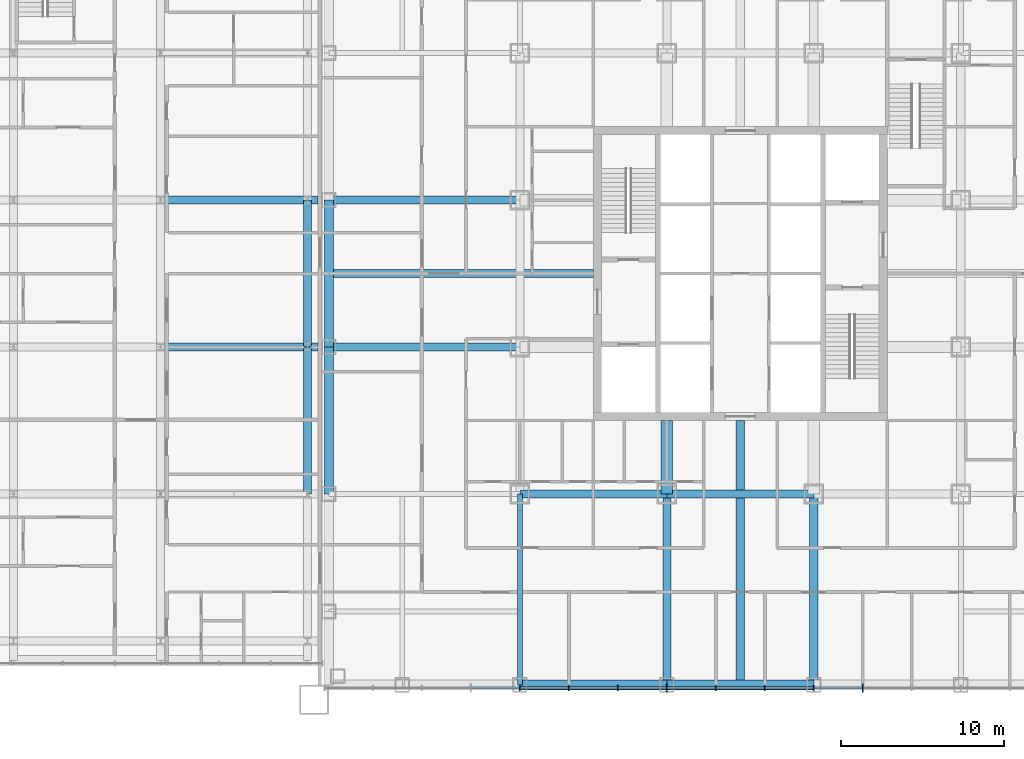
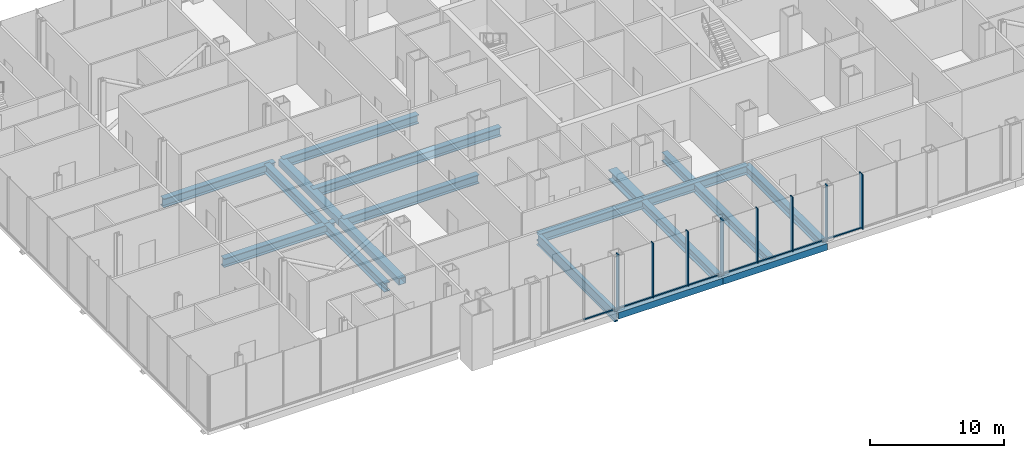
# One storey, part 3 of 25: 18 beams, 16 members, 1 element without a shape of its own.
"""IFC4 building model written with IfcOpenShell, lengths in metres."""

from ifc_helpers import new_model, si_unit, direction, frame, origin, origin_2d, place, context, subcontext, project, spatial, rectangle, hollow_rectangle, i_section, extrude, material, layer, layer_set, material_profile, profile_set, type_object, element, aggregate, save


model = new_model("IFC4")

# Units and contexts
model_context = context("Model", 3, precision=1e-05, world=origin(), true_north=direction((0.0, 1.0)))
body_context = subcontext(model_context, "Body", "Model", "MODEL_VIEW")
ifc_project = project(units=[si_unit("LENGTHUNIT", "METRE"), si_unit("AREAUNIT", "SQUARE_METRE"), si_unit("VOLUMEUNIT", "CUBIC_METRE"), si_unit("PLANEANGLEUNIT", "RADIAN"), si_unit("MASSUNIT", "GRAM", prefix="KILO")], contexts=[model_context])

# Site, building, storey
site_placement = place(None, origin())
site = spatial("IfcSite", under=ifc_project, at=site_placement, CompositionType="ELEMENT")
building_placement = place(site_placement, origin())
building = spatial("IfcBuilding", under=site, at=building_placement, Name="Malebo Sky Hospital", CompositionType="ELEMENT")
storey_placement = place(building_placement, frame((0.0, 0.0, 6.0)))
storey = spatial("IfcBuildingStorey", under=building, at=storey_placement, Name="L01", CompositionType="ELEMENT", Elevation=6.0)

# Curtain wall, members
ifc_material_1 = material(Name="Anodised aluminium, natural silver", Category="aluminium")
ifc_layer = layer(ifc_material_1, 0.25)
ifc_layer_set = layer_set([ifc_layer], Name="PODIUM ENTRANCE BAY CURTAIN WALL")
curtain_wall_type = type_object("IfcCurtainWallType", Name="PODIUM ENTRANCE BAY CURTAIN WALL", PredefinedType="NOTDEFINED", material=ifc_layer_set)
curtain_wall_placement = place(storey_placement, origin())
curtain_wall = element("IfcCurtainWall", 1, at=curtain_wall_placement, inside=storey, type_object=curtain_wall_type, Name="BAY curtain wall BS", PredefinedType="NOTDEFINED")
ifc_material_profile_1 = material_profile(ifc_material_1, rectangle(XDim=0.14990234375, YDim=0.10009765625, at=origin_2d()), Name="ALUMINIUM TRANSOM 150x100")
ifc_profile_set_1 = profile_set([ifc_material_profile_1], Name="Anodised aluminium, natural silver")
member_type_1 = type_object("IfcMemberType", Name="ALUMINIUM TRANSOM 150x100", PredefinedType="USERDEFINED", material=ifc_profile_set_1)
member_1_placement = place(storey_placement, frame((43.53759765625, 36.625, 0.050048828125), z_axis=(1.0, 0.0, 0.0), x_axis=(0.0, 1.0, 0.0)))
member_1 = element("IfcMember", 2, at=member_1_placement, type_object=member_type_1, Name="Transom 4", ObjectType="TRANSOM", PredefinedType="USERDEFINED", context=body_context, shape_type="SweptSolid", body=[
    extrude(rectangle(XDim=0.14990234375, YDim=0.10009765625, at=origin_2d()), origin(), (0.0, 0.0, 1.0), 2.9248046875),
])
member_2_placement = place(storey_placement, frame((46.53759765625, 36.625, 0.050048828125), z_axis=(1.0, 0.0, 0.0), x_axis=(0.0, 1.0, 0.0)))
member_2 = element("IfcMember", 3, at=member_2_placement, type_object=member_type_1, Name="Transom 5", ObjectType="TRANSOM", PredefinedType="USERDEFINED", context=body_context, shape_type="SweptSolid", body=[
    extrude(rectangle(XDim=0.14990234375, YDim=0.10009765625, at=origin_2d()), origin(), (0.0, 0.0, 1.0), 2.9248046875),
])
member_3_placement = place(storey_placement, frame((49.53759765625, 36.625, 0.050048828125), z_axis=(1.0, 0.0, 0.0), x_axis=(0.0, 1.0, 0.0)))
member_3 = element("IfcMember", 4, at=member_3_placement, type_object=member_type_1, Name="Transom 6", ObjectType="TRANSOM", PredefinedType="USERDEFINED", context=body_context, shape_type="SweptSolid", body=[
    extrude(rectangle(XDim=0.14990234375, YDim=0.10009765625, at=origin_2d()), origin(), (0.0, 0.0, 1.0), 2.9248046875),
])
member_4_placement = place(storey_placement, frame((52.53759765625, 36.625, 0.050048828125), z_axis=(1.0, 0.0, 0.0), x_axis=(0.0, 1.0, 0.0)))
member_4 = element("IfcMember", 5, at=member_4_placement, type_object=member_type_1, Name="Transom 7", ObjectType="TRANSOM", PredefinedType="USERDEFINED", context=body_context, shape_type="SweptSolid", body=[
    extrude(rectangle(XDim=0.14990234375, YDim=0.10009765625, at=origin_2d()), origin(), (0.0, 0.0, 1.0), 2.9248046875),
])
member_5_placement = place(storey_placement, frame((55.53759765625, 36.625, 0.050048828125), z_axis=(1.0, 0.0, 0.0), x_axis=(0.0, 1.0, 0.0)))
member_5 = element("IfcMember", 6, at=member_5_placement, type_object=member_type_1, Name="Transom 8", ObjectType="TRANSOM", PredefinedType="USERDEFINED", context=body_context, shape_type="SweptSolid", body=[
    extrude(rectangle(XDim=0.14990234375, YDim=0.10009765625, at=origin_2d()), origin(), (0.0, 0.0, 1.0), 2.9248046875),
])
member_6_placement = place(storey_placement, frame((58.53759765625, 36.625, 0.050048828125), z_axis=(1.0, 0.0, 0.0), x_axis=(0.0, 1.0, 0.0)))
member_6 = element("IfcMember", 7, at=member_6_placement, type_object=member_type_1, Name="Transom 9", ObjectType="TRANSOM", PredefinedType="USERDEFINED", context=body_context, shape_type="SweptSolid", body=[
    extrude(rectangle(XDim=0.14990234375, YDim=0.10009765625, at=origin_2d()), origin(), (0.0, 0.0, 1.0), 2.9248046875),
])
member_7_placement = place(storey_placement, frame((61.53759765625, 36.625, 0.050048828125), z_axis=(1.0, 0.0, 0.0), x_axis=(0.0, 1.0, 0.0)))
member_7 = element("IfcMember", 8, at=member_7_placement, type_object=member_type_1, Name="Transom 10", ObjectType="TRANSOM", PredefinedType="USERDEFINED", context=body_context, shape_type="SweptSolid", body=[
    extrude(rectangle(XDim=0.14990234375, YDim=0.10009765625, at=origin_2d()), origin(), (0.0, 0.0, 1.0), 2.9248046875),
])
member_8_placement = place(storey_placement, frame((64.53759765625, 36.625, 0.050048828125), z_axis=(1.0, 0.0, 0.0), x_axis=(0.0, 1.0, 0.0)))
member_8 = element("IfcMember", 9, at=member_8_placement, type_object=member_type_1, Name="Transom 11", ObjectType="TRANSOM", PredefinedType="USERDEFINED", context=body_context, shape_type="SweptSolid", body=[
    extrude(rectangle(XDim=0.14990234375, YDim=0.10009765625, at=origin_2d()), origin(), (0.0, 0.0, 1.0), 2.9248046875),
])
ifc_material_profile_2 = material_profile(ifc_material_1, rectangle(XDim=0.074951171875, YDim=0.35009765625, at=origin_2d()), Name="CW4 ALUMINIUM FIN MULLION 75x350")
ifc_profile_set_2 = profile_set([ifc_material_profile_2], Name="Anodised aluminium, natural silver")
member_type_2 = type_object("IfcMemberType", Name="CW4 ALUMINIUM FIN MULLION 75x350", PredefinedType="MULLION", material=ifc_profile_set_2)
member_9_placement = place(storey_placement, frame((46.5, 36.625, 0.0), z_axis=(0.0, 0.0, 1.0), x_axis=(1.0, 0.0, 0.0)))
member_9 = element("IfcMember", 10, at=member_9_placement, type_object=member_type_2, Name="Fin mullion 5", PredefinedType="MULLION", context=body_context, shape_type="SweptSolid", body=[
    extrude(rectangle(XDim=0.074951171875, YDim=0.35009765625, at=origin_2d()), origin(), (0.0, 0.0, 1.0), 5.0),
])
member_10_placement = place(storey_placement, frame((49.5, 36.625, 0.0), z_axis=(0.0, 0.0, 1.0), x_axis=(1.0, 0.0, 0.0)))
member_10 = element("IfcMember", 11, at=member_10_placement, type_object=member_type_2, Name="Fin mullion 6", PredefinedType="MULLION", context=body_context, shape_type="SweptSolid", body=[
    extrude(rectangle(XDim=0.074951171875, YDim=0.35009765625, at=origin_2d()), origin(), (0.0, 0.0, 1.0), 5.0),
])
member_11_placement = place(storey_placement, frame((52.5, 36.625, 0.0), z_axis=(0.0, 0.0, 1.0), x_axis=(1.0, 0.0, 0.0)))
member_11 = element("IfcMember", 12, at=member_11_placement, type_object=member_type_2, Name="Fin mullion 7", PredefinedType="MULLION", context=body_context, shape_type="SweptSolid", body=[
    extrude(rectangle(XDim=0.074951171875, YDim=0.35009765625, at=origin_2d()), origin(), (0.0, 0.0, 1.0), 5.0),
])
member_12_placement = place(storey_placement, frame((58.5, 36.625, 0.0), z_axis=(0.0, 0.0, 1.0), x_axis=(1.0, 0.0, 0.0)))
member_12 = element("IfcMember", 13, at=member_12_placement, type_object=member_type_2, Name="Fin mullion 9", PredefinedType="MULLION", context=body_context, shape_type="SweptSolid", body=[
    extrude(rectangle(XDim=0.074951171875, YDim=0.35009765625, at=origin_2d()), origin(), (0.0, 0.0, 1.0), 5.0),
])
member_13_placement = place(storey_placement, frame((61.5, 36.625, 0.0), z_axis=(0.0, 0.0, 1.0), x_axis=(1.0, 0.0, 0.0)))
member_13 = element("IfcMember", 14, at=member_13_placement, type_object=member_type_2, Name="Fin mullion 10", PredefinedType="MULLION", context=body_context, shape_type="SweptSolid", body=[
    extrude(rectangle(XDim=0.074951171875, YDim=0.35009765625, at=origin_2d()), origin(), (0.0, 0.0, 1.0), 5.0),
])
member_14_placement = place(storey_placement, frame((64.5, 36.625, 0.0), z_axis=(0.0, 0.0, 1.0), x_axis=(1.0, 0.0, 0.0)))
member_14 = element("IfcMember", 15, at=member_14_placement, type_object=member_type_2, Name="Fin mullion 11", PredefinedType="MULLION", context=body_context, shape_type="SweptSolid", body=[
    extrude(rectangle(XDim=0.074951171875, YDim=0.35009765625, at=origin_2d()), origin(), (0.0, 0.0, 1.0), 5.0),
])
ifc_material_profile_3 = material_profile(ifc_material_1, rectangle(XDim=0.074951171875, YDim=0.5, at=origin_2d()), Name="CW4 ALUMINIUM FIN MULLION 75x500")
ifc_profile_set_3 = profile_set([ifc_material_profile_3], Name="Anodised aluminium, natural silver")
member_type_3 = type_object("IfcMemberType", Name="CW4 ALUMINIUM FIN MULLION 75x500", PredefinedType="MULLION", material=ifc_profile_set_3)
member_15_placement = place(storey_placement, frame((55.5, 36.625, 0.0), z_axis=(0.0, 0.0, 1.0), x_axis=(1.0, 0.0, 0.0)))
member_15 = element("IfcMember", 16, at=member_15_placement, type_object=member_type_3, Name="Fin mullion 8", PredefinedType="MULLION", context=body_context, shape_type="SweptSolid", body=[
    extrude(rectangle(XDim=0.074951171875, YDim=0.5, at=origin_2d()), origin(), (0.0, 0.0, 1.0), 5.0),
])
member_16_placement = place(storey_placement, frame((67.5, 36.625, 0.0), z_axis=(0.0, 0.0, 1.0), x_axis=(1.0, 0.0, 0.0)))
member_16 = element("IfcMember", 17, at=member_16_placement, type_object=member_type_3, Name="Fin mullion 12", PredefinedType="MULLION", context=body_context, shape_type="SweptSolid", body=[
    extrude(rectangle(XDim=0.074951171875, YDim=0.5, at=origin_2d()), origin(), (0.0, 0.0, 1.0), 5.0),
])
aggregate(curtain_wall, [member_9, member_10, member_11, member_15, member_12, member_13, member_14, member_16, member_1, member_2, member_3, member_4, member_5, member_6, member_7, member_8])

# Beams
ifc_material_2 = material(Name="Steel S460", Category="steel")
ifc_material_profile_4 = material_profile(ifc_material_2, hollow_rectangle(XDim=0.60009765625, YDim=0.60009765625, WallThickness=0.0400390625, at=origin_2d()), Name="BOX 600x600x40")
ifc_profile_set_4 = profile_set([ifc_material_profile_4], Name="Steel S460")
beam_type_1 = type_object("IfcBeamType", Name="EDGE BEAM BOX 600x600x40", PredefinedType="BEAM", material=ifc_profile_set_4)
for number, where, z_axis, x_axis, name in (
    (18, (34.800048828125, 48.5, -0.60009765625), (0.0, 1.0, 0.0), (-1.0, 0.0, 0.0), "Beam 002 L01"),
    (19, (34.800048828125, 57.5, -0.60009765625), (0.0, 1.0, 0.0), (-1.0, 0.0, 0.0), "Beam 003 L01"),
    (20, (46.5, 36.800048828125, -0.60009765625), (1.0, 0.0, 0.0), (0.0, 1.0, 0.0), "Beam 040 L01"),
    (21, (55.5, 36.800048828125, -0.60009765625), (1.0, 0.0, 0.0), (0.0, 1.0, 0.0), "Beam 041 L01"),
):
    element("IfcBeam", number, at=place(storey_placement, frame(where, z_axis=z_axis, x_axis=x_axis)), inside=storey, type_object=beam_type_1, Name=name, PredefinedType="BEAM", context=body_context, shape_type="SweptSolid", body=[
        extrude(hollow_rectangle(XDim=0.60009765625, YDim=0.60009765625, WallThickness=0.0400390625, at=origin_2d()), origin(), (0.0, 0.0, 1.0), 9.0),
    ])
ifc_material_3 = material(Name="Steel S355", Category="steel")
ifc_material_profile_5 = material_profile(ifc_material_3, i_section(OverallWidth=0.5, OverallDepth=0.800048828125, WebThickness=0.030029296875, FlangeThickness=0.050048828125, at=origin_2d()), Name="PG 800x500x30x50")
ifc_profile_set_5 = profile_set([ifc_material_profile_5], Name="Steel S355")
beam_type_2 = type_object("IfcBeamType", Name="FLOOR BEAM PG 800x500x30x50", PredefinedType="BEAM", material=ifc_profile_set_5)
beam_1_placement = place(storey_placement, frame((55.5, 36.800048828125, -0.699951171875), z_axis=(0.0, 1.0, 0.0), x_axis=(-1.0, 0.0, 0.0)))
element("IfcBeam", 22, at=beam_1_placement, inside=storey, type_object=beam_type_2, Name="Beam 014 L01", PredefinedType="BEAM", context=body_context, shape_type="SweptSolid", body=[
    extrude(i_section(OverallWidth=0.5, OverallDepth=0.800048828125, WebThickness=0.030029296875, FlangeThickness=0.050048828125, at=origin_2d()), origin(), (0.0, 0.0, 1.0), 11.699951171875),
])
beam_2_placement = place(storey_placement, frame((60.0, 36.800048828125, -0.699951171875), z_axis=(0.0, 1.0, 0.0), x_axis=(-1.0, 0.0, 0.0)))
element("IfcBeam", 23, at=beam_2_placement, inside=storey, type_object=beam_type_2, Name="Beam 018 L01", PredefinedType="BEAM", context=body_context, shape_type="SweptSolid", body=[
    extrude(i_section(OverallWidth=0.5, OverallDepth=0.800048828125, WebThickness=0.030029296875, FlangeThickness=0.050048828125, at=origin_2d()), origin(), (0.0, 0.0, 1.0), 16.199951171875),
])
beam_3_placement = place(storey_placement, frame((64.5, 36.800048828125, -0.699951171875), z_axis=(0.0, 1.0, 0.0), x_axis=(-1.0, 0.0, 0.0)))
element("IfcBeam", 24, at=beam_3_placement, inside=storey, type_object=beam_type_2, Name="Beam 020 L01", PredefinedType="BEAM", context=body_context, shape_type="SweptSolid", body=[
    extrude(i_section(OverallWidth=0.5, OverallDepth=0.800048828125, WebThickness=0.030029296875, FlangeThickness=0.050048828125, at=origin_2d()), origin(), (0.0, 0.0, 1.0), 11.699951171875),
])
beam_4_placement = place(storey_placement, frame((46.5, 48.5, -0.699951171875), z_axis=(1.0, 0.0, 0.0), x_axis=(0.0, 1.0, 0.0)))
element("IfcBeam", 25, at=beam_4_placement, inside=storey, type_object=beam_type_2, Name="Beam 048 L01", PredefinedType="BEAM", context=body_context, shape_type="SweptSolid", body=[
    extrude(i_section(OverallWidth=0.5, OverallDepth=0.800048828125, WebThickness=0.030029296875, FlangeThickness=0.050048828125, at=origin_2d()), origin(), (0.0, 0.0, 1.0), 9.0),
])
beam_5_placement = place(storey_placement, frame((34.800048828125, 57.5, -0.699951171875), z_axis=(1.0, 0.0, 0.0), x_axis=(0.0, 1.0, 0.0)))
element("IfcBeam", 26, at=beam_5_placement, inside=storey, type_object=beam_type_2, Name="Beam 052 L01", PredefinedType="BEAM", context=body_context, shape_type="SweptSolid", body=[
    extrude(i_section(OverallWidth=0.5, OverallDepth=0.800048828125, WebThickness=0.030029296875, FlangeThickness=0.050048828125, at=origin_2d()), origin(), (0.0, 0.0, 1.0), 11.699951171875),
])
beam_6_placement = place(storey_placement, frame((34.800048828125, 62.0, -0.699951171875), z_axis=(1.0, 0.0, 0.0), x_axis=(0.0, 1.0, 0.0)))
element("IfcBeam", 27, at=beam_6_placement, inside=storey, type_object=beam_type_2, Name="Beam 056 L01", PredefinedType="BEAM", context=body_context, shape_type="SweptSolid", body=[
    extrude(i_section(OverallWidth=0.5, OverallDepth=0.800048828125, WebThickness=0.030029296875, FlangeThickness=0.050048828125, at=origin_2d()), origin(), (0.0, 0.0, 1.0), 16.199951171875),
])
beam_7_placement = place(storey_placement, frame((34.800048828125, 66.5, -0.699951171875), z_axis=(1.0, 0.0, 0.0), x_axis=(0.0, 1.0, 0.0)))
element("IfcBeam", 28, at=beam_7_placement, inside=storey, type_object=beam_type_2, Name="Beam 058 L01", PredefinedType="BEAM", context=body_context, shape_type="SweptSolid", body=[
    extrude(i_section(OverallWidth=0.5, OverallDepth=0.800048828125, WebThickness=0.030029296875, FlangeThickness=0.050048828125, at=origin_2d()), origin(), (0.0, 0.0, 1.0), 11.699951171875),
])
for number, where, z_axis, x_axis, name in (
    (29, (33.5, 48.5, -0.699951171875), (0.0, 1.0, 0.0), (-1.0, 0.0, 0.0), "Beam W012 L01"),
    (30, (33.5, 57.5, -0.699951171875), (0.0, 1.0, 0.0), (-1.0, 0.0, 0.0), "Beam W013 L01"),
):
    element("IfcBeam", number, at=place(storey_placement, frame(where, z_axis=z_axis, x_axis=x_axis)), inside=storey, type_object=beam_type_2, Name=name, PredefinedType="BEAM", context=body_context, shape_type="SweptSolid", body=[
        extrude(i_section(OverallWidth=0.5, OverallDepth=0.800048828125, WebThickness=0.030029296875, FlangeThickness=0.050048828125, at=origin_2d()), origin(), (0.0, 0.0, 1.0), 9.0),
    ])
for number, where, z_axis, x_axis, name in (
    (31, (24.5, 57.5, -0.699951171875), (1.0, 0.0, 0.0), (0.0, 1.0, 0.0), "Beam W021 L01"),
    (32, (24.5, 66.5, -0.699951171875), (1.0, 0.0, 0.0), (0.0, 1.0, 0.0), "Beam W023 L01"),
):
    element("IfcBeam", number, at=place(storey_placement, frame(where, z_axis=z_axis, x_axis=x_axis)), inside=storey, type_object=beam_type_2, Name=name, PredefinedType="BEAM", context=body_context, shape_type="SweptSolid", body=[
        extrude(i_section(OverallWidth=0.5, OverallDepth=0.800048828125, WebThickness=0.030029296875, FlangeThickness=0.050048828125, at=origin_2d()), origin(), (0.0, 0.0, 1.0), 9.64990234375),
    ])
ifc_material_profile_6 = material_profile(ifc_material_3, i_section(OverallWidth=0.699951171875, OverallDepth=0.89990234375, WebThickness=0.0400390625, FlangeThickness=0.070068359375, at=origin_2d()), Name="PG 900x700x40x70")
ifc_profile_set_6 = profile_set([ifc_material_profile_6], Name="Steel S355")
beam_type_3 = type_object("IfcBeamType", Name="FLOOR BEAM PG 900x700x40x70", PredefinedType="BEAM", material=ifc_profile_set_6)
beam_8_placement = place(storey_placement, frame((55.5, 48.5, -0.75), z_axis=(0.0, 1.0, 0.0), x_axis=(-1.0, 0.0, 0.0)))
element("IfcBeam", 33, at=beam_8_placement, inside=storey, type_object=beam_type_3, Name="Beam 015 L01", PredefinedType="BEAM", context=body_context, shape_type="SweptSolid", body=[
    extrude(i_section(OverallWidth=0.699951171875, OverallDepth=0.89990234375, WebThickness=0.0400390625, FlangeThickness=0.070068359375, at=origin_2d()), origin(), (0.0, 0.0, 1.0), 4.5),
])
ifc_material_profile_7 = material_profile(ifc_material_3, i_section(OverallWidth=0.300048828125, OverallDepth=1.0, WebThickness=0.01904296875, FlangeThickness=0.035888671875, FilletRadius=0.030029296875, at=origin_2d()), Name="HEB 1000")
ifc_profile_set_7 = profile_set([ifc_material_profile_7], Name="Steel S355")
beam_type_4 = type_object("IfcBeamType", Name="FLOOR GIRDER HEB 1000", PredefinedType="BEAM", material=ifc_profile_set_7)
beam_9_placement = place(storey_placement, frame((46.5, 36.800048828125, -0.800048828125), z_axis=(0.0, 1.0, 0.0), x_axis=(-1.0, 0.0, 0.0)))
element("IfcBeam", 34, at=beam_9_placement, inside=storey, type_object=beam_type_4, Name="Beam 009 L01", PredefinedType="BEAM", context=body_context, shape_type="SweptSolid", body=[
    extrude(i_section(OverallWidth=0.300048828125, OverallDepth=1.0, WebThickness=0.01904296875, FlangeThickness=0.035888671875, FilletRadius=0.030029296875, at=origin_2d()), origin(), (0.0, 0.0, 1.0), 11.699951171875),
])
ifc_material_profile_8 = material_profile(ifc_material_3, i_section(OverallWidth=0.5, OverallDepth=0.800048828125, WebThickness=0.030029296875, FlangeThickness=0.050048828125, at=origin_2d()), Name="PG 800x500x30x50")
ifc_profile_set_8 = profile_set([ifc_material_profile_8], Name="Steel S355")
beam_type_5 = type_object("IfcBeamType", Name="RING GIRDER PG 800x500x30x50", PredefinedType="BEAM", material=ifc_profile_set_8)
beam_10_placement = place(storey_placement, frame((55.5, 48.5, -0.699951171875), z_axis=(1.0, 0.0, 0.0), x_axis=(0.0, 1.0, 0.0)))
element("IfcBeam", 35, at=beam_10_placement, inside=storey, type_object=beam_type_5, Name="Beam 049 L01", PredefinedType="BEAM", context=body_context, shape_type="SweptSolid", body=[
    extrude(i_section(OverallWidth=0.5, OverallDepth=0.800048828125, WebThickness=0.030029296875, FlangeThickness=0.050048828125, at=origin_2d()), origin(), (0.0, 0.0, 1.0), 9.0),
])

save(model, "model.ifc")
